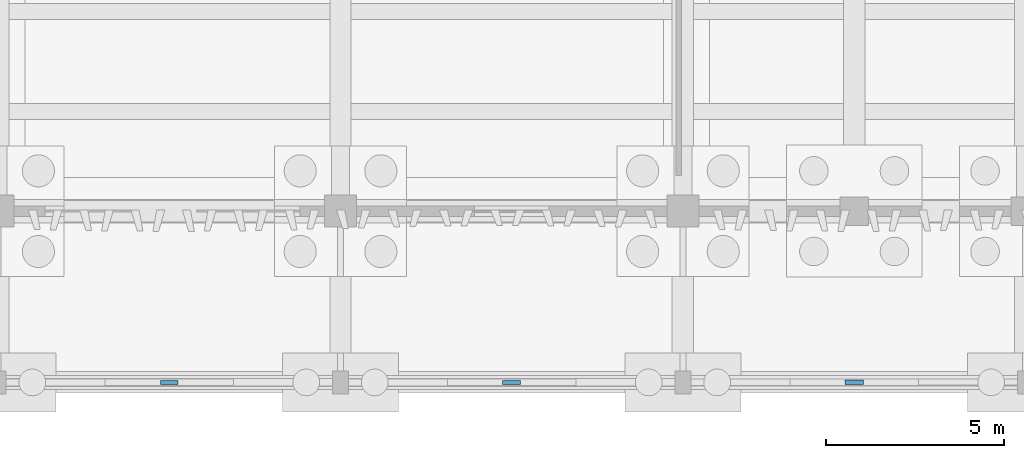
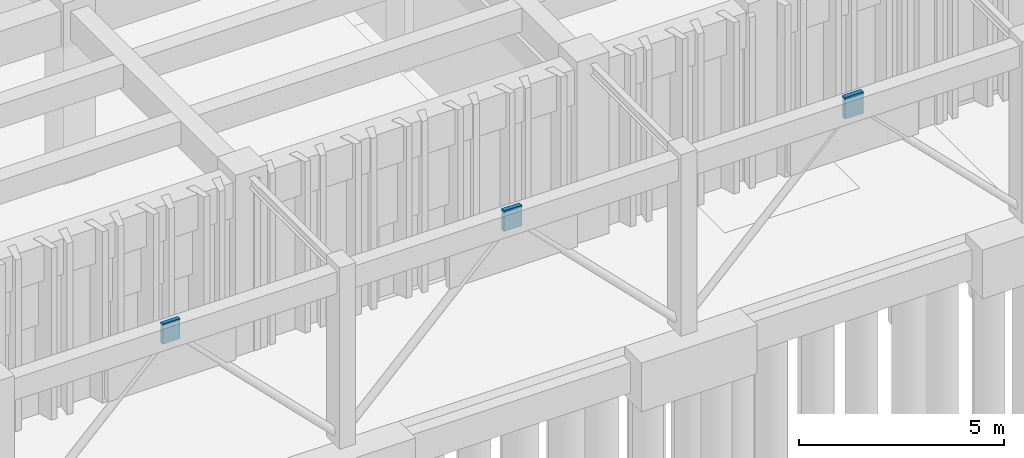
# One storey, part 68 of 102: 3 plates.
"""IFC4 building model written with IfcOpenShell, lengths in metres."""

from ifc_helpers import new_model, si_unit, direction, frame, origin, origin_2d, place, context, subcontext, project, spatial, rectangle, extrude, material, layer, layer_set, type_object, element, save


model = new_model("IFC4")

# Units and contexts
model_context = context("Model", 3, precision=1e-05, world=origin(), true_north=direction((0.0, 1.0)))
body_context = subcontext(model_context, "Body", "Model", "MODEL_VIEW")
ifc_project = project(units=[si_unit("LENGTHUNIT", "METRE"), si_unit("AREAUNIT", "SQUARE_METRE"), si_unit("VOLUMEUNIT", "CUBIC_METRE"), si_unit("PLANEANGLEUNIT", "RADIAN"), si_unit("MASSUNIT", "GRAM", prefix="KILO")], contexts=[model_context])

# Site, building, storey
site_placement = place(None, origin())
site = spatial("IfcSite", under=ifc_project, at=site_placement, CompositionType="ELEMENT")
building_placement = place(site_placement, origin())
building = spatial("IfcBuilding", under=site, at=building_placement, Name="Kolvemor Railside Polytechnic", CompositionType="ELEMENT")
storey_placement = place(building_placement, origin())
storey = spatial("IfcBuildingStorey", under=building, at=storey_placement, Name="L00", CompositionType="ELEMENT", Elevation=0.0)

# Plates
ifc_material_1 = material(Name="Steel S355", Category="steel")
ifc_layer_1 = layer(ifc_material_1, 0.10791015625, Name="PLT-GUSSET-10")
ifc_layer_set_1 = layer_set([ifc_layer_1], Name="Steel S355")
plate_type_1 = type_object("IfcPlateType", Name="PLT-GUSSET-10", PredefinedType="USERDEFINED", material=ifc_layer_set_1)
plate_1_placement = place(storey_placement, frame((100.800048828125, 0.0, 4.64990234375), z_axis=(0.0, 0.0, 1.0), x_axis=(1.0, 0.0, 0.0)))
element("IfcPlate", 1, at=plate_1_placement, inside=storey, type_object=plate_type_1, Name="Brace Chevron Gusset Plate GP-BR10", ObjectType="GUSSET PLATE", PredefinedType="USERDEFINED", context=body_context, shape_type="SweptSolid", body=[
    extrude(rectangle(XDim=0.489990234375, YDim=0.10791015625, at=origin_2d()), origin(), (0.0, 0.0, 1.0), 0.60009765625),
])
ifc_material_2 = material(Name="Steel S355", Category="steel")
ifc_layer_2 = layer(ifc_material_2, 0.117919921875, Name="PLT-GUSSET-11")
ifc_layer_set_2 = layer_set([ifc_layer_2], Name="Steel S355")
plate_type_2 = type_object("IfcPlateType", Name="PLT-GUSSET-11", PredefinedType="USERDEFINED", material=ifc_layer_set_2)
plate_2_placement = place(storey_placement, frame((110.39990234375, 0.0, 4.64111328125), z_axis=(0.0, 0.0, 1.0), x_axis=(1.0, 0.0, 0.0)))
element("IfcPlate", 2, at=plate_2_placement, inside=storey, type_object=plate_type_2, Name="Brace Chevron Gusset Plate GP-BR11", ObjectType="GUSSET PLATE", PredefinedType="USERDEFINED", context=body_context, shape_type="SweptSolid", body=[
    extrude(rectangle(XDim=0.5048828125, YDim=0.117919921875, at=origin_2d()), origin(), (0.0, 0.0, 1.0), 0.617919921875),
])
ifc_material_3 = material(Name="Steel S355", Category="steel")
ifc_layer_3 = layer(ifc_material_3, 0.1279296875, Name="PLT-GUSSET-12")
ifc_layer_set_3 = layer_set([ifc_layer_3], Name="Steel S355")
plate_type_3 = type_object("IfcPlateType", Name="PLT-GUSSET-12", PredefinedType="USERDEFINED", material=ifc_layer_set_3)
plate_3_placement = place(storey_placement, frame((120.0, 0.0, 4.6318359375), z_axis=(0.0, 0.0, 1.0), x_axis=(1.0, 0.0, 0.0)))
element("IfcPlate", 3, at=plate_3_placement, inside=storey, type_object=plate_type_3, Name="Brace Chevron Gusset Plate GP-BR12", ObjectType="GUSSET PLATE", PredefinedType="USERDEFINED", context=body_context, shape_type="SweptSolid", body=[
    extrude(rectangle(XDim=0.52001953125, YDim=0.1279296875, at=origin_2d()), origin(), (0.0, 0.0, 1.0), 0.635986328125),
])

save(model, "model.ifc")
